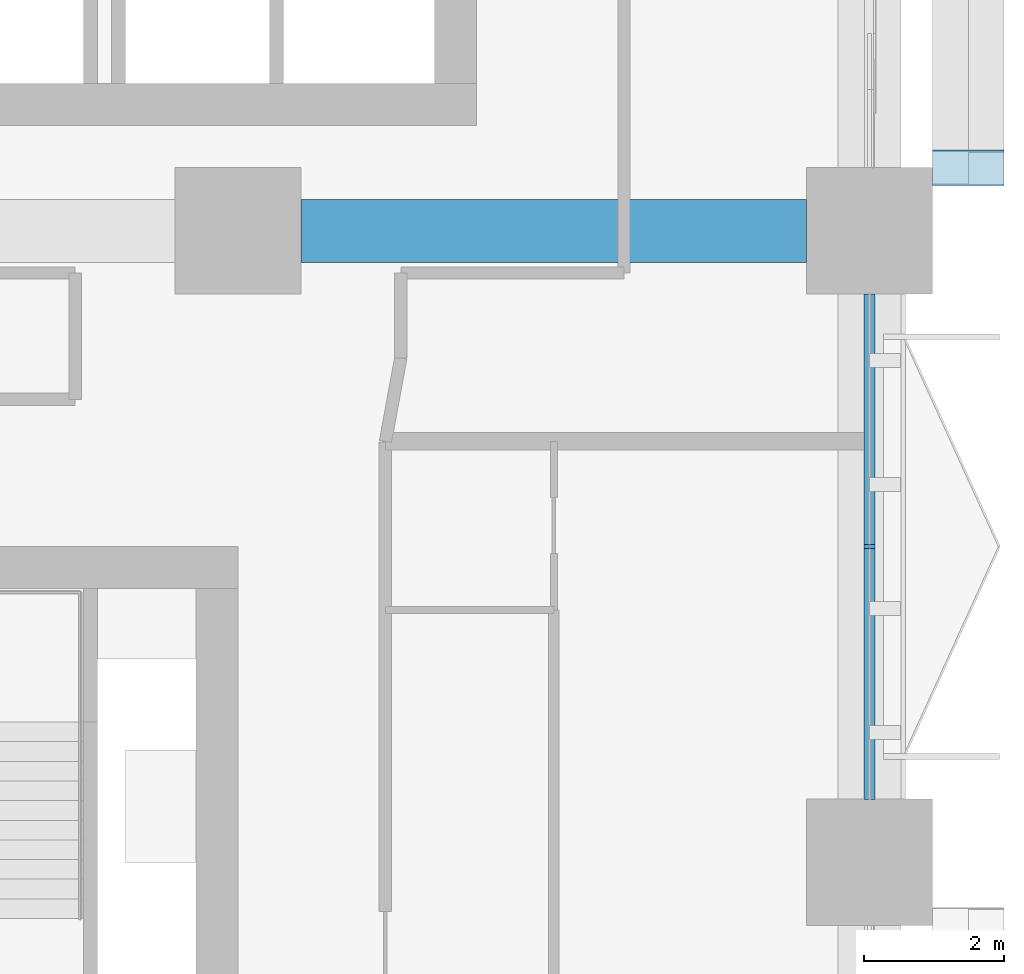
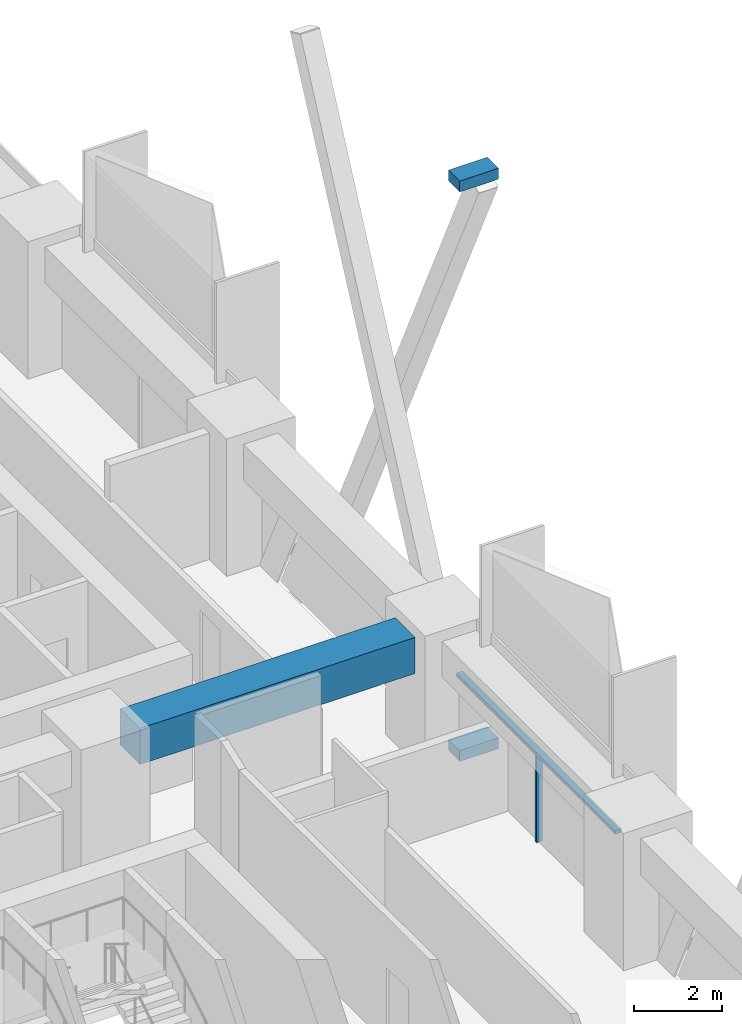
# One storey, part 5 of 19: 4 members, 1 beam, 1 element without a shape of its own.
"""IFC4 building model written with IfcOpenShell, lengths in metres."""

from ifc_helpers import new_model, si_unit, direction, frame, origin, origin_2d, place, context, subcontext, project, spatial, rectangle, extrude, material, layer, layer_set, material_profile, profile_set, type_object, element, aggregate, save


model = new_model("IFC4")

# Units and contexts
model_context = context("Model", 3, precision=1e-05, world=origin(), true_north=direction((0.0, 1.0)))
body_context = subcontext(model_context, "Body", "Model", "MODEL_VIEW")
ifc_project = project(units=[si_unit("LENGTHUNIT", "METRE"), si_unit("AREAUNIT", "SQUARE_METRE"), si_unit("VOLUMEUNIT", "CUBIC_METRE"), si_unit("PLANEANGLEUNIT", "RADIAN"), si_unit("MASSUNIT", "GRAM", prefix="KILO")], contexts=[model_context])

# Site, building, storey
site_placement = place(None, origin())
site = spatial("IfcSite", under=ifc_project, at=site_placement, CompositionType="ELEMENT")
building_placement = place(site_placement, origin())
building = spatial("IfcBuilding", under=site, at=building_placement, Name="Tessera Arch", CompositionType="ELEMENT")
storey_placement = place(building_placement, frame((0.0, 0.0, 93.0)))
storey = spatial("IfcBuildingStorey", under=building, at=storey_placement, Name="L21", CompositionType="ELEMENT", Elevation=93.0)

# Curtain wall, members
ifc_material_1 = material(Name="CW1 curtain wall")
curtain_wall_type = type_object("IfcCurtainWallType", Name="CW1 curtain wall", PredefinedType="NOTDEFINED", material=ifc_material_1)
curtain_wall_placement = place(storey_placement, origin())
curtain_wall = element("IfcCurtainWall", 1, at=curtain_wall_placement, inside=storey, type_object=curtain_wall_type, Name="CW1 curtain wall E54.0/2 L21", PredefinedType="NOTDEFINED")
ifc_material_2 = material(Name="Anodised aluminium pale metal", Category="aluminium")
ifc_material_profile_1 = material_profile(ifc_material_2, rectangle(XDim=0.159912109375, YDim=0.06005859375, at=origin_2d()), Name="AL 60x160")
ifc_profile_set_1 = profile_set([ifc_material_profile_1], Name="Anodised aluminium pale metal")
member_type_1 = type_object("IfcMemberType", Name="CW1 mullion", PredefinedType="MULLION", material=ifc_profile_set_1)
member_1_placement = place(storey_placement, frame((54.0, 22.5, 0.0), z_axis=(0.0, 0.0, 1.0), x_axis=(-1.0, 0.0, 0.0)))
member_1 = element("IfcMember", 2, at=member_1_placement, type_object=member_type_1, Name="CW1 mullion E54.0/2 1", PredefinedType="MULLION", context=body_context, shape_type="SweptSolid", body=[
    extrude(rectangle(XDim=0.159912109375, YDim=0.06005859375, at=origin_2d()), origin(), (0.0, 0.0, 1.0), 2.39990234375),
])
ifc_material_3 = material(Name="Anodised aluminium pale metal", Category="aluminium")
ifc_material_profile_2 = material_profile(ifc_material_3, rectangle(XDim=0.159912109375, YDim=0.10009765625, at=origin_2d()), Name="AL 160x100")
ifc_profile_set_2 = profile_set([ifc_material_profile_2], Name="Anodised aluminium pale metal")
member_type_2 = type_object("IfcMemberType", Name="CW1 transom", PredefinedType="USERDEFINED", material=ifc_profile_set_2)
member_2_placement = place(storey_placement, frame((54.0, 18.89990234375, 2.449951171875), z_axis=(0.0, 1.0, 0.0), x_axis=(-1.0, 0.0, 0.0)))
member_2 = element("IfcMember", 3, at=member_2_placement, type_object=member_type_2, Name="CW1 transom E54.0/2 1.1", ObjectType="TRANSOM", PredefinedType="USERDEFINED", context=body_context, shape_type="SweptSolid", body=[
    extrude(rectangle(XDim=0.159912109375, YDim=0.10009765625, at=origin_2d()), origin(), (0.0, 0.0, 1.0), 7.2001953125),
])
aggregate(curtain_wall, [member_1, member_2])

# Members
ifc_material_4 = material(Name="Steel A572 Gr50", Category="steel")
ifc_layer = layer(ifc_material_4, 0.050048828125)
ifc_layer_set = layer_set([ifc_layer], Name="Node block Steel A572 Gr50")
member_type_3 = type_object("IfcMemberType", Name="Node block Steel A572 Gr50", PredefinedType="PLATE", material=ifc_layer_set)
for number, where, z_axis, x_axis, name in (
    (4, (55.407958984375, 27.89990234375, -1.2314453125), (0.0, 0.0, 1.0), (0.0, 1.0, 0.0), "Node block seat E54.0-3 2 L21"),
    (5, (55.407958984375, 27.89990234375, 14.53125), (0.0, 0.0, 1.0), (0.0, 1.0, 0.0), "Node block head E54.0-3 B L21"),
):
    element("IfcMember", number, at=place(storey_placement, frame(where, z_axis=z_axis, x_axis=x_axis)), inside=storey, type_object=member_type_3, Name=name, PredefinedType="PLATE", context=body_context, shape_type="SweptSolid", body=[
        extrude(rectangle(XDim=0.508056640625, YDim=1.01611328125, at=origin_2d()), origin(), (0.0, 0.0, 1.0), 0.300048828125),
    ])

# Beam
ifc_material_5 = material(Name="Concrete C80/95", Category="concrete")
ifc_material_profile_3 = material_profile(ifc_material_5, rectangle(XDim=0.89990234375, YDim=1.0, at=origin_2d()), Name="RC spandrel beam 900 x 1000 Concrete C80/95")
ifc_profile_set_3 = profile_set([ifc_material_profile_3], Name="Concrete C80/95")
beam_type = type_object("IfcBeamType", Name="RC spandrel beam 900 x 1000 Concrete C80/95", PredefinedType="BEAM", material=ifc_profile_set_3)
beam_placement = place(storey_placement, frame((45.89990234375, 27.0, 3.0), z_axis=(1.0, 0.0, 0.0), x_axis=(0.0, 1.0, 0.0)))
element("IfcBeam", 6, at=beam_placement, inside=storey, type_object=beam_type, Name="Interface beam L21 I1C6D-C7D", PredefinedType="BEAM", context=body_context, shape_type="SweptSolid", body=[
    extrude(rectangle(XDim=0.89990234375, YDim=1.0, at=origin_2d()), origin(), (0.0, 0.0, 1.0), 7.2001953125),
])

save(model, "model.ifc")
